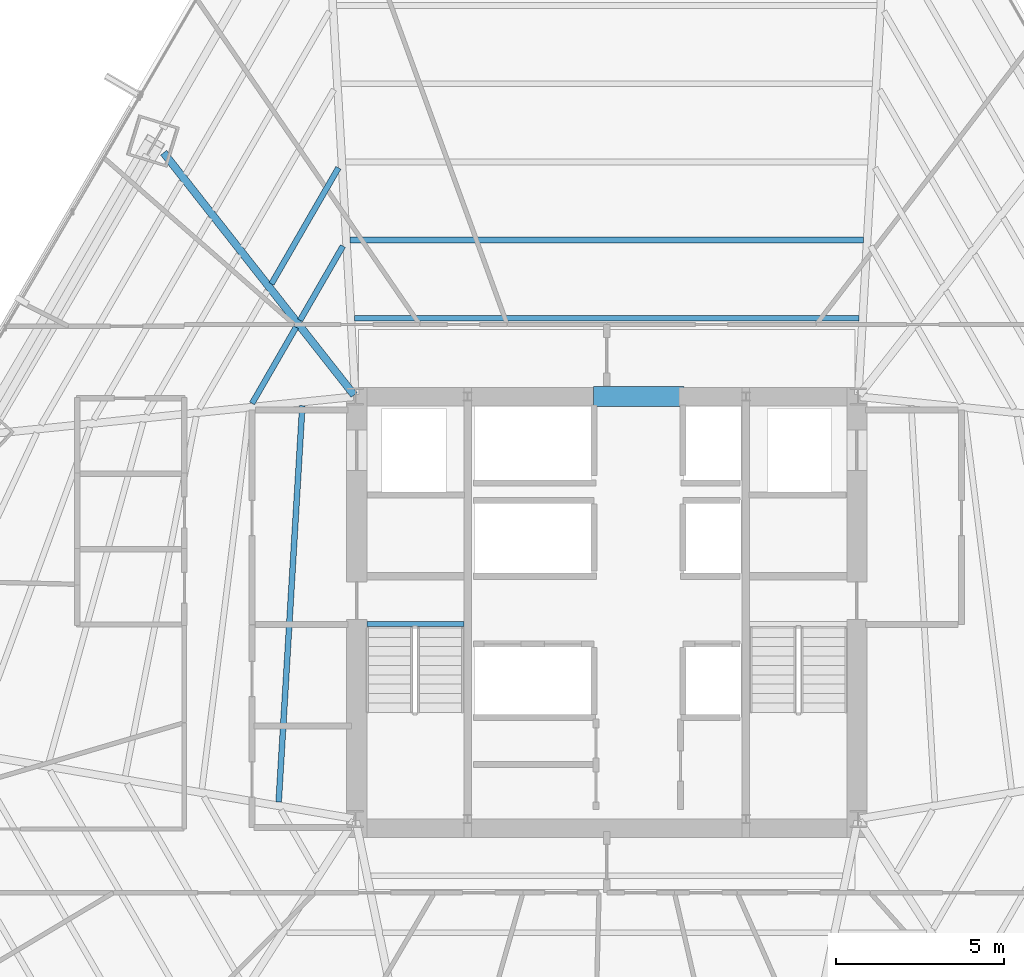
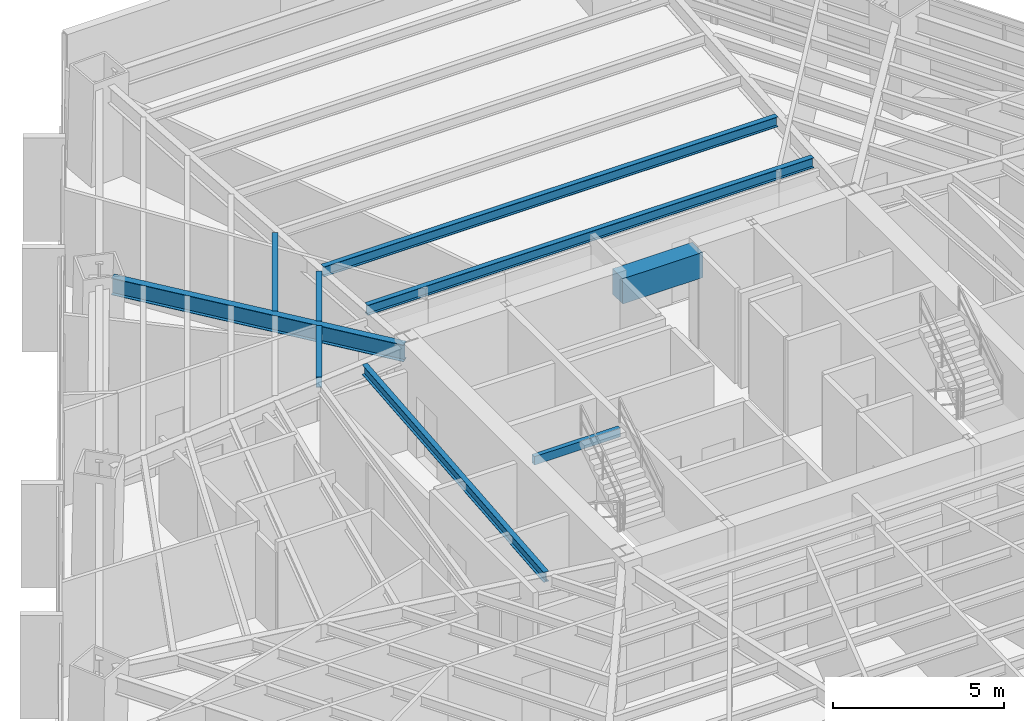
# One storey, part 15 of 36: 9 beams.
"""IFC4 building model written with IfcOpenShell, lengths in metres."""

from ifc_helpers import new_model, si_unit, direction, frame, origin, origin_2d, place, context, subcontext, project, spatial, rectangle, hollow_rectangle, i_section, extrude, source, transform, mapped, material, material_profile, profile_set, type_object, type_shapes, element, save


model = new_model("IFC4")

# Units and contexts
model_context = context("Model", 3, precision=1e-05, world=origin(), true_north=direction((0.0, 1.0)))
body_context = subcontext(model_context, "Body", "Model", "MODEL_VIEW")
ifc_project = project(units=[si_unit("LENGTHUNIT", "METRE"), si_unit("AREAUNIT", "SQUARE_METRE"), si_unit("VOLUMEUNIT", "CUBIC_METRE"), si_unit("PLANEANGLEUNIT", "RADIAN"), si_unit("MASSUNIT", "GRAM", prefix="KILO")], contexts=[model_context])

# Site, building, storey
site_placement = place(None, origin())
site = spatial("IfcSite", under=ifc_project, at=site_placement, CompositionType="ELEMENT")
building_placement = place(site_placement, origin())
building = spatial("IfcBuilding", under=site, at=building_placement, Name="Caelisora Broadcast Tower", CompositionType="ELEMENT")
storey_placement = place(building_placement, frame((0.0, 0.0, 60.449951171875)))
storey = spatial("IfcBuildingStorey", under=building, at=storey_placement, Name="L15", CompositionType="ELEMENT", Elevation=60.449951171875)

# Beams
ifc_material_1 = material(Name="Steel Grade 350 (AS/NZS 1163 C350L0)", Category="steel")
ifc_material_profile_1 = material_profile(ifc_material_1, hollow_rectangle(XDim=0.14990234375, YDim=0.300048828125, WallThickness=0.010009765625, at=origin_2d()), Name="Steel Grade 350 (AS/NZS 1163 C350L0)")
ifc_profile_set_1 = profile_set([ifc_material_profile_1], Name="Steel Grade 350 (AS/NZS 1163 C350L0)")
beam_type_1 = type_object("IfcBeamType", Name="SB05", PredefinedType="JOIST", material=ifc_profile_set_1)
shared_shape_1 = source(origin(), body_context, "Body", "SweptSolid", [
    extrude(hollow_rectangle(XDim=0.14990234375, YDim=0.300048828125, WallThickness=0.010009765625, at=origin_2d()), origin(), (0.0, 0.0, 1.0), 2.89990234375),
])
type_shapes(beam_type_1, [shared_shape_1])
beam_1_placement = place(storey_placement, frame((30.840087890625, 23.219970703125, 3.25), z_axis=(1.0, 0.0, 0.0), x_axis=(0.0, 1.0, 0.0)))
element("IfcBeam", 1, at=beam_1_placement, inside=storey, type_object=beam_type_1, Name="L15 beam SB05", PredefinedType="JOIST", context=body_context, shape_type="MappedRepresentation", body=[
    mapped(shared_shape_1, transform((0.0, 0.0, 0.0), scale=1.0)),
])
ifc_material_2 = material(Name="Concrete 50 MPa (AS 3600 S50)", Category="concrete")
ifc_material_profile_2 = material_profile(ifc_material_2, rectangle(XDim=0.60009765625, YDim=0.89990234375, at=origin_2d()), Name="Concrete 50 MPa (AS 3600 S50)")
ifc_profile_set_2 = profile_set([ifc_material_profile_2], Name="Concrete 50 MPa (AS 3600 S50)")
beam_type_2 = type_object("IfcBeamType", Name="CB02", PredefinedType="LINTEL", material=ifc_profile_set_2)
shared_shape_2 = source(origin(), body_context, "Body", "SweptSolid", [
    extrude(rectangle(XDim=0.60009765625, YDim=0.89990234375, at=origin_2d()), origin(), (0.0, 0.0, 1.0), 2.699951171875),
])
type_shapes(beam_type_2, [shared_shape_2])
beam_2_placement = place(storey_placement, frame((37.60009765625, 30.0, 2.949951171875), z_axis=(1.0, 0.0, 0.0), x_axis=(0.0, 1.0, 0.0)))
element("IfcBeam", 2, at=beam_2_placement, inside=storey, type_object=beam_type_2, Name="L15 beam CB02", PredefinedType="LINTEL", context=body_context, shape_type="MappedRepresentation", body=[
    mapped(shared_shape_2, transform((0.0, 0.0, 0.0), scale=1.0)),
])
ifc_material_3 = material(Name="Steel Grade 350 (AS/NZS 3679.1)", Category="steel")
ifc_material_profile_3 = material_profile(ifc_material_3, i_section(OverallWidth=0.22802734375, OverallDepth=0.602294921875, WebThickness=0.010498046875, FlangeThickness=0.014892578125, at=origin_2d()), Name="Steel Grade 350 (AS/NZS 3679.1)")
ifc_profile_set_3 = profile_set([ifc_material_profile_3], Name="Steel Grade 350 (AS/NZS 3679.1)")
beam_type_3 = type_object("IfcBeamType", Name="PG04", PredefinedType="BEAM", material=ifc_profile_set_3)
shared_shape_3 = source(origin(), body_context, "Body", "SweptSolid", [
    extrude(i_section(OverallWidth=0.22802734375, OverallDepth=0.602294921875, WebThickness=0.010498046875, FlangeThickness=0.014892578125, at=origin_2d()), origin(), (0.0, 0.0, 1.0), 9.19482421875),
])
type_shapes(beam_type_3, [shared_shape_3])
beam_3_placement = place(storey_placement, frame((30.462890625, 30.047119140625, 3.098876953125), z_axis=(-0.61819087078, 0.786028019401, 0.0), x_axis=(-0.786028019401, -0.61819087078, 0.0)))
element("IfcBeam", 3, at=beam_3_placement, inside=storey, type_object=beam_type_3, Name="L15 beam PG04", PredefinedType="BEAM", context=body_context, shape_type="MappedRepresentation", body=[
    mapped(shared_shape_3, transform((0.0, 0.0, 0.0), scale=1.0)),
])
ifc_material_profile_4 = material_profile(ifc_material_3, i_section(OverallWidth=0.172119140625, OverallDepth=0.358642578125, WebThickness=0.008056640625, FlangeThickness=0.012939453125, at=origin_2d()), Name="Steel Grade 350 (AS/NZS 3679.1)")
ifc_profile_set_4 = profile_set([ifc_material_profile_4], Name="Steel Grade 350 (AS/NZS 3679.1)")
beam_type_4 = type_object("IfcBeamType", Name="SB02", PredefinedType="JOIST", material=ifc_profile_set_4)
shared_shape_4 = source(origin(), body_context, "Body", "SweptSolid", [
    extrude(i_section(OverallWidth=0.172119140625, OverallDepth=0.358642578125, WebThickness=0.008056640625, FlangeThickness=0.012939453125, at=origin_2d()), origin(), (0.0, 0.0, 1.0), 15.0458984375),
])
beam_4_placement = place(storey_placement, frame((45.52294921875, 32.333740234375, 3.220703125), z_axis=(-1.0, 0.0, 0.0), x_axis=(0.0, -1.0, 0.0)))
element("IfcBeam", 4, at=beam_4_placement, inside=storey, type_object=beam_type_4, Name="L15 beam SB02", PredefinedType="JOIST", context=body_context, shape_type="MappedRepresentation", body=[
    mapped(shared_shape_4, transform((0.0, 0.0, 0.0), scale=1.0)),
])
shared_shape_5 = source(origin(), body_context, "Body", "SweptSolid", [
    extrude(i_section(OverallWidth=0.172119140625, OverallDepth=0.358642578125, WebThickness=0.008056640625, FlangeThickness=0.012939453125, at=origin_2d()), origin(), (0.0, 0.0, 1.0), 15.314453125),
])
beam_5_placement = place(storey_placement, frame((45.6572265625, 34.66748046875, 3.220703125), z_axis=(-1.0, 0.0, 0.0), x_axis=(0.0, -1.0, 0.0)))
element("IfcBeam", 5, at=beam_5_placement, inside=storey, type_object=beam_type_4, Name="L15 beam SB02", PredefinedType="JOIST", context=body_context, shape_type="MappedRepresentation", body=[
    mapped(shared_shape_5, transform((0.0, 0.0, 0.0), scale=1.0)),
])
shared_shape_6 = source(origin(), body_context, "Body", "SweptSolid", [
    extrude(i_section(OverallWidth=0.172119140625, OverallDepth=0.358642578125, WebThickness=0.008056640625, FlangeThickness=0.012939453125, at=origin_2d()), origin(), (0.0, 0.0, 1.0), 2.556396484375),
])
beam_6_placement = place(storey_placement, frame((30.129150390625, 34.490234375, 3.220703125), z_axis=(-0.499970471295, -0.866042451519, 0.0), x_axis=(0.866042451519, -0.499970471295, 0.0)))
element("IfcBeam", 6, at=beam_6_placement, inside=storey, type_object=beam_type_4, Name="L15 beam SB02", PredefinedType="JOIST", context=body_context, shape_type="MappedRepresentation", body=[
    mapped(shared_shape_6, transform((0.0, 0.0, 0.0), scale=1.0)),
])
shared_shape_7 = source(origin(), body_context, "Body", "SweptSolid", [
    extrude(i_section(OverallWidth=0.172119140625, OverallDepth=0.358642578125, WebThickness=0.008056640625, FlangeThickness=0.012939453125, at=origin_2d()), origin(), (0.0, 0.0, 1.0), 3.996826171875),
])
beam_7_placement = place(storey_placement, frame((29.9951171875, 36.823974609375, 3.220703125), z_axis=(-0.500041471549, -0.86600145885, 0.0), x_axis=(0.86600145885, -0.500041471549, 0.0)))
element("IfcBeam", 7, at=beam_7_placement, inside=storey, type_object=beam_type_4, Name="L15 beam SB02", PredefinedType="JOIST", context=body_context, shape_type="MappedRepresentation", body=[
    mapped(shared_shape_7, transform((0.0, 0.0, 0.0), scale=1.0)),
])
shared_shape_8 = source(origin(), body_context, "Body", "SweptSolid", [
    extrude(i_section(OverallWidth=0.172119140625, OverallDepth=0.358642578125, WebThickness=0.008056640625, FlangeThickness=0.012939453125, at=origin_2d()), origin(), (0.0, 0.0, 1.0), 2.623046875),
])
beam_8_placement = place(storey_placement, frame((28.731201171875, 32.06884765625, 3.220703125), z_axis=(-0.499982949935, -0.86603524742, 0.0), x_axis=(0.86603524742, -0.499982949935, 0.0)))
element("IfcBeam", 8, at=beam_8_placement, inside=storey, type_object=beam_type_4, Name="L15 beam SB02", PredefinedType="JOIST", context=body_context, shape_type="MappedRepresentation", body=[
    mapped(shared_shape_8, transform((0.0, 0.0, 0.0), scale=1.0)),
])
shared_shape_9 = source(origin(), body_context, "Body", "SweptSolid", [
    extrude(i_section(OverallWidth=0.172119140625, OverallDepth=0.358642578125, WebThickness=0.008056640625, FlangeThickness=0.012939453125, at=origin_2d()), origin(), (0.0, 0.0, 1.0), 11.844482421875),
])
type_shapes(beam_type_4, [shared_shape_4, shared_shape_5, shared_shape_6, shared_shape_7, shared_shape_8, shared_shape_9])
beam_9_placement = place(storey_placement, frame((28.918701171875, 29.7265625, 3.220703125), z_axis=(-0.059671710578, -0.998218055816, 0.0), x_axis=(0.998218055816, -0.059671710578, 0.0)))
element("IfcBeam", 9, at=beam_9_placement, inside=storey, type_object=beam_type_4, Name="L15 beam SB02", PredefinedType="JOIST", context=body_context, shape_type="MappedRepresentation", body=[
    mapped(shared_shape_9, transform((0.0, 0.0, 0.0), scale=1.0)),
])

save(model, "model.ifc")
